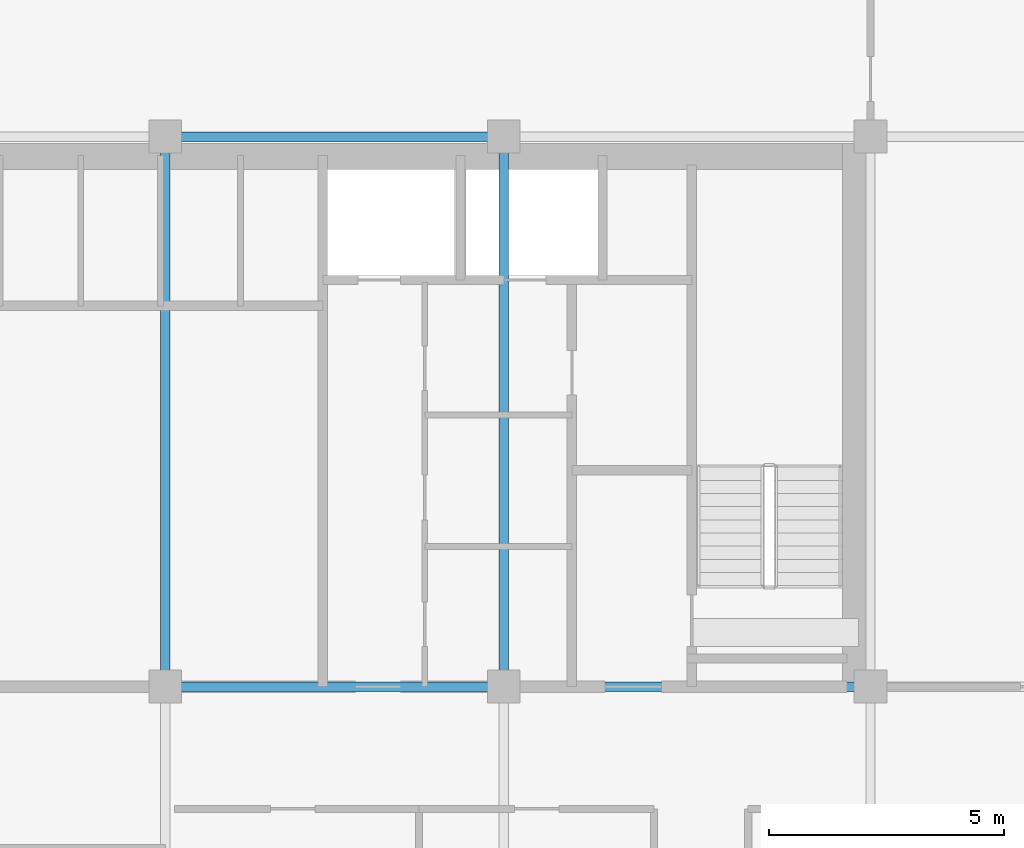
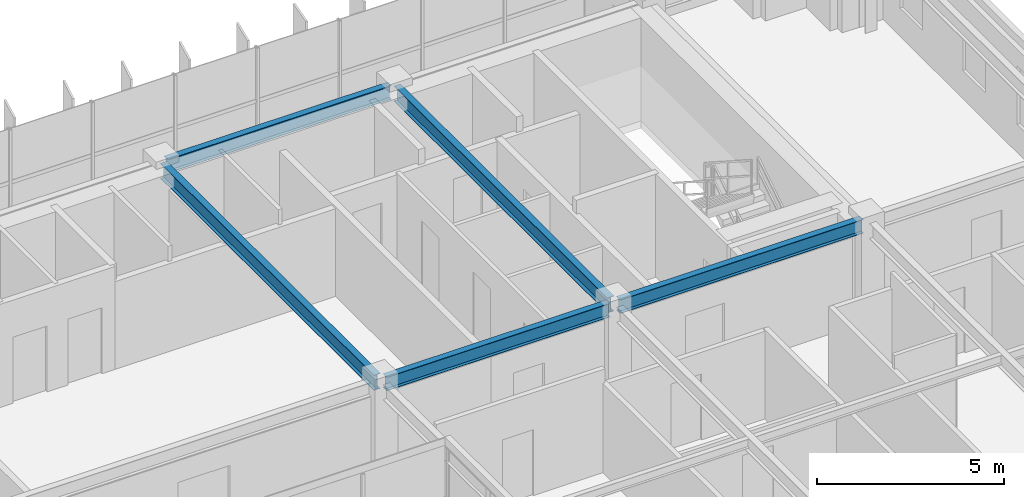
# One storey, part 21 of 35: 5 beams.
"""IFC4 building model written with IfcOpenShell, lengths in metres."""

from ifc_helpers import new_model, si_unit, direction, frame, origin, origin_2d, place, context, subcontext, project, spatial, i_section, extrude, source, transform, mapped, material, material_profile, profile_set, type_object, element, save


model = new_model("IFC4")

# Units and contexts
model_context = context("Model", 3, precision=1e-05, world=origin(), true_north=direction((0.0, 1.0)))
body_context = subcontext(model_context, "Body", "Model", "MODEL_VIEW")
ifc_project = project(units=[si_unit("LENGTHUNIT", "METRE"), si_unit("AREAUNIT", "SQUARE_METRE"), si_unit("VOLUMEUNIT", "CUBIC_METRE"), si_unit("PLANEANGLEUNIT", "RADIAN"), si_unit("MASSUNIT", "GRAM", prefix="KILO")], contexts=[model_context])

# Site, building, storey
site_placement = place(None, origin())
site = spatial("IfcSite", under=ifc_project, at=site_placement, CompositionType="ELEMENT")
building_placement = place(site_placement, origin())
building = spatial("IfcBuilding", under=site, at=building_placement, Name="Trelvane Seafront Commons", CompositionType="ELEMENT")
storey_placement = place(building_placement, frame((0.0, 0.0, 194.10009765625)))
storey = spatial("IfcBuildingStorey", under=building, at=storey_placement, Name="L50", CompositionType="ELEMENT", Elevation=194.10009765625)

# Beams
ifc_material = material(Name="Steel SM355 (S355)", Category="steel")
ifc_material_profile_1 = material_profile(ifc_material, i_section(OverallWidth=0.199951171875, OverallDepth=0.5, WebThickness=0.010009765625, FlangeThickness=0.01611328125, at=origin_2d()), Name="H-500x200x10x16")
ifc_profile_set_1 = profile_set([ifc_material_profile_1], Name="Steel SM355 (S355)")
beam_type_1 = type_object("IfcBeamType", Name="STR-BM-H500", PredefinedType="BEAM", material=ifc_profile_set_1)
shared_shape_1 = source(origin(), body_context, "Body", "SweptSolid", [
    extrude(i_section(OverallWidth=0.199951171875, OverallDepth=0.5, WebThickness=0.010009765625, FlangeThickness=0.01611328125, at=origin_2d()), origin(), (0.0, 0.0, 1.0), 11.39990234375),
])
for number, where, z_axis, x_axis, name in (
    (1, (43.800048828125, 33.550048828125, 3.10986328125), (0.0, 1.0, 0.0), (-1.0, 0.0, 0.0), "L50 Primary Girder G-43"),
    (2, (51.0, 33.550048828125, 3.10986328125), (0.0, 1.0, 0.0), (-1.0, 0.0, 0.0), "L50 Primary Girder G-46"),
):
    element("IfcBeam", number, at=place(storey_placement, frame(where, z_axis=z_axis, x_axis=x_axis)), inside=storey, type_object=beam_type_1, Name=name, PredefinedType="BEAM", context=body_context, shape_type="MappedRepresentation", body=[
        mapped(shared_shape_1, transform((0.0, 0.0, 0.0), x_axis=(1.0, 0.0, 0.0), y_axis=(0.0, 1.0, 0.0), z_axis=(0.0, 0.0, 1.0), scale=1.0)),
    ])
ifc_material_profile_2 = material_profile(ifc_material, i_section(OverallWidth=0.199951171875, OverallDepth=0.449951171875, WebThickness=0.009033203125, FlangeThickness=0.013916015625, at=origin_2d()), Name="H-450x200x9x14")
ifc_profile_set_2 = profile_set([ifc_material_profile_2], Name="Steel SM355 (S355)")
beam_type_2 = type_object("IfcBeamType", Name="STR-SPD-H450", PredefinedType="SPANDREL", material=ifc_profile_set_2)
shared_shape_2 = source(origin(), body_context, "Body", "SweptSolid", [
    extrude(i_section(OverallWidth=0.199951171875, OverallDepth=0.449951171875, WebThickness=0.009033203125, FlangeThickness=0.013916015625, at=origin_2d()), origin(), (0.0, 0.0, 1.0), 7.5),
])
beam_placement = place(storey_placement, frame((51.14990234375, 33.39990234375, 3.135009765625), z_axis=(1.0, 0.0, 0.0), x_axis=(0.0, 1.0, 0.0)))
element("IfcBeam", 3, at=beam_placement, inside=storey, type_object=beam_type_2, Name="L50 Primary Girder G-20", PredefinedType="SPANDREL", context=body_context, shape_type="MappedRepresentation", body=[
    mapped(shared_shape_2, transform((0.0, 0.0, 0.0), x_axis=(1.0, 0.0, 0.0), y_axis=(0.0, 1.0, 0.0), z_axis=(0.0, 0.0, 1.0), scale=1.0)),
])
shared_shape_3 = source(origin(), body_context, "Body", "SweptSolid", [
    extrude(i_section(OverallWidth=0.199951171875, OverallDepth=0.449951171875, WebThickness=0.009033203125, FlangeThickness=0.013916015625, at=origin_2d()), origin(), (0.0, 0.0, 1.0), 6.900146484375),
])
for number, where, z_axis, x_axis, name in (
    (4, (43.949951171875, 33.39990234375, 3.135009765625), (1.0, 0.0, 0.0), (0.0, 1.0, 0.0), "L50 Primary Girder G-19"),
    (5, (43.949951171875, 45.10009765625, 3.135009765625), (1.0, 0.0, 0.0), (0.0, 1.0, 0.0), "L50 Primary Girder G-26"),
):
    element("IfcBeam", number, at=place(storey_placement, frame(where, z_axis=z_axis, x_axis=x_axis)), inside=storey, type_object=beam_type_2, Name=name, PredefinedType="SPANDREL", context=body_context, shape_type="MappedRepresentation", body=[
        mapped(shared_shape_3, transform((0.0, 0.0, 0.0), x_axis=(1.0, 0.0, 0.0), y_axis=(0.0, 1.0, 0.0), z_axis=(0.0, 0.0, 1.0), scale=1.0)),
    ])

save(model, "model.ifc")
